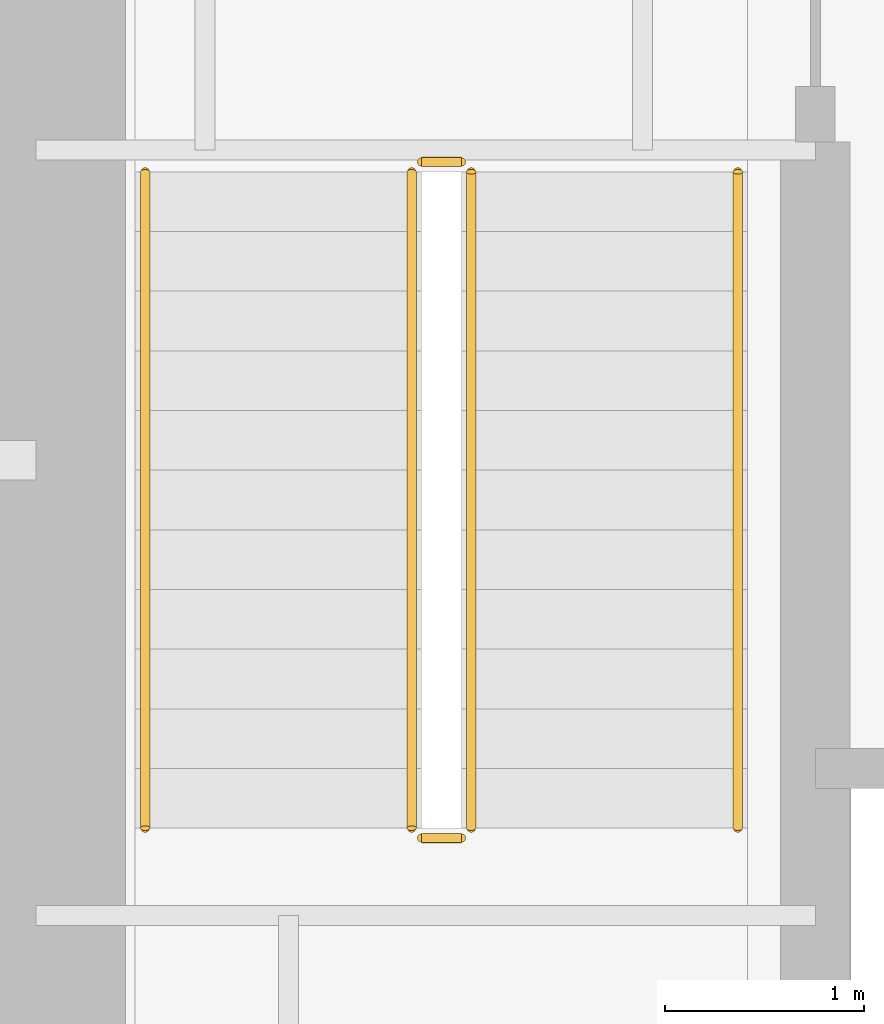
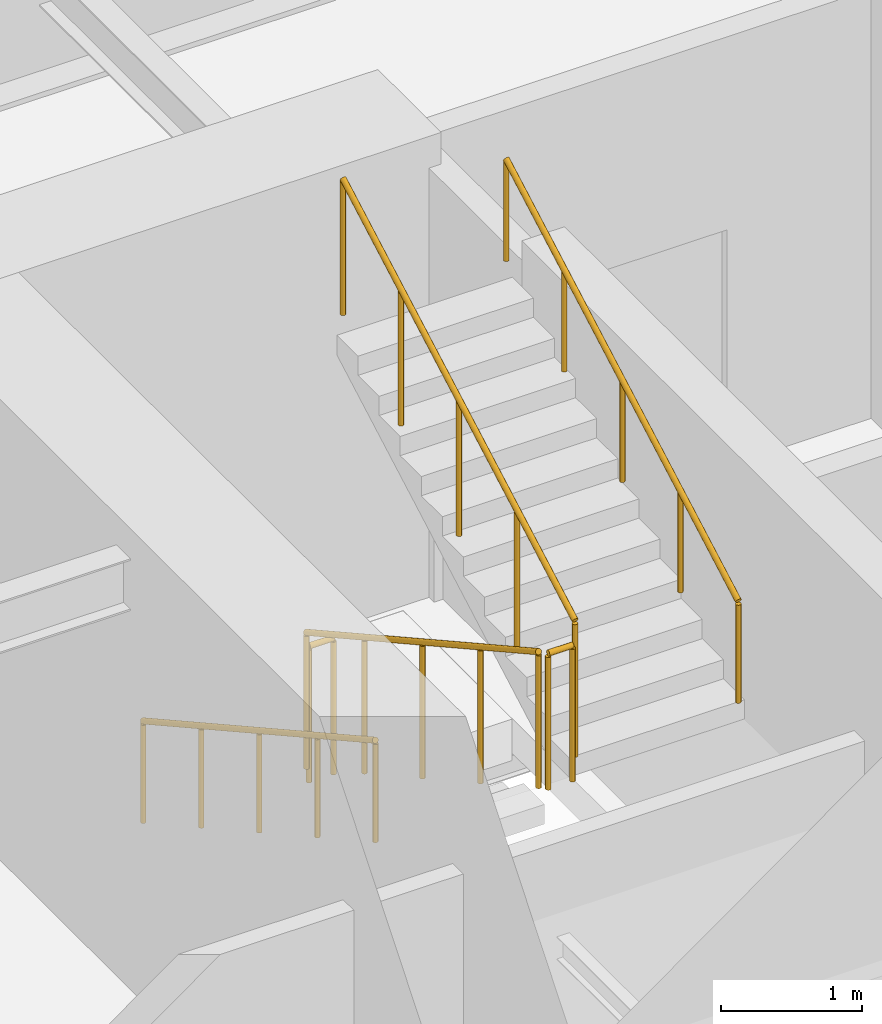
# One storey, part 20 of 25: 6 railings.
"""IFC4 building model written with IfcOpenShell, lengths in metres."""

from ifc_helpers import new_model, si_unit, direction, frame, origin, origin_2d, place, context, subcontext, project, spatial, circle, extrude, material, type_object, element, save


model = new_model("IFC4")

# Units and contexts
model_context = context("Model", 3, precision=1e-05, world=origin(), true_north=direction((0.0, 1.0)))
body_context = subcontext(model_context, "Body", "Model", "MODEL_VIEW")
ifc_project = project(units=[si_unit("LENGTHUNIT", "METRE"), si_unit("AREAUNIT", "SQUARE_METRE"), si_unit("VOLUMEUNIT", "CUBIC_METRE"), si_unit("PLANEANGLEUNIT", "RADIAN"), si_unit("MASSUNIT", "GRAM", prefix="KILO")], contexts=[model_context])

# Site, building, storey
site_placement = place(None, origin())
site = spatial("IfcSite", under=ifc_project, at=site_placement, CompositionType="ELEMENT")
building_placement = place(site_placement, origin())
building = spatial("IfcBuilding", under=site, at=building_placement, Name="Qiaolan Cultural Towers", CompositionType="ELEMENT")
storey_placement = place(building_placement, frame((0.0, 0.0, 22.0)))
storey = spatial("IfcBuildingStorey", under=building, at=storey_placement, Name="L04", CompositionType="ELEMENT", Elevation=22.0)

# Railings
ifc_material_1 = material(Name="Galvanized Painted Steel Stair Guardrail", Category="steel")
railing_type_1 = type_object("IfcRailingType", Name="RL-STAIR-GRD", PredefinedType="GUARDRAIL", material=ifc_material_1)
railing_1_placement = place(storey_placement, frame((23.68994140625, 19.550048828125, 0.166748046875)))
element("IfcRailing", 1, at=railing_1_placement, inside=storey, type_object=railing_type_1, Name="L04 ST-W1 stair guard 1", PredefinedType="GUARDRAIL", context=body_context, shape_type="SweptSolid", body=[
    extrude(circle(Radius=0.02392578125, at=origin_2d()), frame((0.0, 0.0, 1.17578125), z_axis=(0.0, -0.874169478083, 0.485620966999), x_axis=(1.0, 0.0, 0.0)), (0.0, 0.0, 1.0), 3.775146484375),
    extrude(circle(Radius=0.02099609375, at=origin_2d()), origin(), (0.0, 0.0, 1.0), 1.15185546875),
    extrude(circle(Radius=0.02099609375, at=origin_2d()), frame((0.0, -0.824951171875, 0.458251953125)), (0.0, 0.0, 1.0), 1.15185546875),
    extrude(circle(Radius=0.02099609375, at=origin_2d()), frame((0.0, -1.64990234375, 0.91650390625)), (0.0, 0.0, 1.0), 1.15185546875),
    extrude(circle(Radius=0.02099609375, at=origin_2d()), frame((0.0, -2.47509765625, 1.375)), (0.0, 0.0, 1.0), 1.15185546875),
    extrude(circle(Radius=0.02099609375, at=origin_2d()), frame((0.0, -3.300048828125, 1.833251953125)), (0.0, 0.0, 1.0), 1.15185546875),
])
railing_2_placement = place(storey_placement, frame((23.739990234375, 16.199951171875, 2.0)))
element("IfcRailing", 2, at=railing_2_placement, inside=storey, type_object=railing_type_1, Name="L04 ST-W1 stair guard 2", PredefinedType="GUARDRAIL", context=body_context, shape_type="SweptSolid", body=[
    extrude(circle(Radius=0.02392578125, at=origin_2d()), frame((0.0, 0.0, 1.17578125), z_axis=(1.0, 0.0, 0.0), x_axis=(0.0, 1.0, 0.0)), (0.0, 0.0, 1.0), 0.199951171875),
    extrude(circle(Radius=0.02099609375, at=origin_2d()), origin(), (0.0, 0.0, 1.0), 1.15185546875),
    extrude(circle(Radius=0.02099609375, at=origin_2d()), frame((0.199951171875, 0.0, 0.0)), (0.0, 0.0, 1.0), 1.15185546875),
])
railing_3_placement = place(storey_placement, frame((23.989990234375, 16.25, 2.166748046875)))
element("IfcRailing", 3, at=railing_3_placement, inside=storey, type_object=railing_type_1, Name="L04 ST-W1 stair guard 3", PredefinedType="GUARDRAIL", context=body_context, shape_type="SweptSolid", body=[
    extrude(circle(Radius=0.02392578125, at=origin_2d()), frame((0.0, 0.0, 1.17578125), z_axis=(0.0, 0.874169478083, 0.485620966999), x_axis=(-1.0, 0.0, 0.0)), (0.0, 0.0, 1.0), 3.775146484375),
    extrude(circle(Radius=0.02099609375, at=origin_2d()), origin(), (0.0, 0.0, 1.0), 1.15185546875),
    extrude(circle(Radius=0.02099609375, at=origin_2d()), frame((0.0, 0.824951171875, 0.458251953125)), (0.0, 0.0, 1.0), 1.15185546875),
    extrude(circle(Radius=0.02099609375, at=origin_2d()), frame((0.0, 1.64990234375, 0.91650390625)), (0.0, 0.0, 1.0), 1.15185546875),
    extrude(circle(Radius=0.02099609375, at=origin_2d()), frame((0.0, 2.47509765625, 1.375)), (0.0, 0.0, 1.0), 1.15185546875),
    extrude(circle(Radius=0.02099609375, at=origin_2d()), frame((0.0, 3.300048828125, 1.833251953125)), (0.0, 0.0, 1.0), 1.15185546875),
])
railing_4_placement = place(storey_placement, frame((23.739990234375, 19.60009765625, 0.0)))
element("IfcRailing", 4, at=railing_4_placement, inside=storey, type_object=railing_type_1, Name="L04 ST-W1 stair guard 4", PredefinedType="GUARDRAIL", context=body_context, shape_type="SweptSolid", body=[
    extrude(circle(Radius=0.02392578125, at=origin_2d()), frame((0.0, 0.0, 1.17578125), z_axis=(1.0, 0.0, 0.0), x_axis=(0.0, 1.0, 0.0)), (0.0, 0.0, 1.0), 0.199951171875),
    extrude(circle(Radius=0.02099609375, at=origin_2d()), origin(), (0.0, 0.0, 1.0), 1.15185546875),
    extrude(circle(Radius=0.02099609375, at=origin_2d()), frame((0.199951171875, 0.0, 0.0)), (0.0, 0.0, 1.0), 1.15185546875),
])
ifc_material_2 = material(Name="Stainless Steel S30408 Tubular Handrail", Category="steel")
railing_type_2 = type_object("IfcRailingType", Name="RL-STAIR-HR", PredefinedType="HANDRAIL", material=ifc_material_2)
railing_5_placement = place(storey_placement, frame((22.35009765625, 19.550048828125, 0.166748046875)))
element("IfcRailing", 5, at=railing_5_placement, inside=storey, type_object=railing_type_2, Name="L04 ST-W1 stair handrail 1", PredefinedType="HANDRAIL", context=body_context, shape_type="SweptSolid", body=[
    extrude(circle(Radius=0.02392578125, at=origin_2d()), frame((0.0, 0.0, 0.8759765625), z_axis=(0.0, -0.874169478083, 0.485620966999), x_axis=(1.0, 0.0, 0.0)), (0.0, 0.0, 1.0), 3.775146484375),
    extrude(circle(Radius=0.02099609375, at=origin_2d()), origin(), (0.0, 0.0, 1.0), 0.851806640625),
    extrude(circle(Radius=0.02099609375, at=origin_2d()), frame((0.0, -0.824951171875, 0.458251953125)), (0.0, 0.0, 1.0), 0.851806640625),
    extrude(circle(Radius=0.02099609375, at=origin_2d()), frame((0.0, -1.64990234375, 0.91650390625)), (0.0, 0.0, 1.0), 0.851806640625),
    extrude(circle(Radius=0.02099609375, at=origin_2d()), frame((0.0, -2.47509765625, 1.375)), (0.0, 0.0, 1.0), 0.851806640625),
    extrude(circle(Radius=0.02099609375, at=origin_2d()), frame((0.0, -3.300048828125, 1.833251953125)), (0.0, 0.0, 1.0), 0.851806640625),
])
railing_6_placement = place(storey_placement, frame((25.330078125, 16.25, 2.166748046875)))
element("IfcRailing", 6, at=railing_6_placement, inside=storey, type_object=railing_type_2, Name="L04 ST-W1 stair handrail 2", PredefinedType="HANDRAIL", context=body_context, shape_type="SweptSolid", body=[
    extrude(circle(Radius=0.02392578125, at=origin_2d()), frame((0.0, 0.0, 0.8759765625), z_axis=(0.0, 0.874169478083, 0.485620966999), x_axis=(-1.0, 0.0, 0.0)), (0.0, 0.0, 1.0), 3.775146484375),
    extrude(circle(Radius=0.02099609375, at=origin_2d()), origin(), (0.0, 0.0, 1.0), 0.851806640625),
    extrude(circle(Radius=0.02099609375, at=origin_2d()), frame((0.0, 0.824951171875, 0.458251953125)), (0.0, 0.0, 1.0), 0.851806640625),
    extrude(circle(Radius=0.02099609375, at=origin_2d()), frame((0.0, 1.64990234375, 0.91650390625)), (0.0, 0.0, 1.0), 0.851806640625),
    extrude(circle(Radius=0.02099609375, at=origin_2d()), frame((0.0, 2.47509765625, 1.375)), (0.0, 0.0, 1.0), 0.851806640625),
    extrude(circle(Radius=0.02099609375, at=origin_2d()), frame((0.0, 3.300048828125, 1.833251953125)), (0.0, 0.0, 1.0), 0.851806640625),
])

save(model, "model.ifc")
